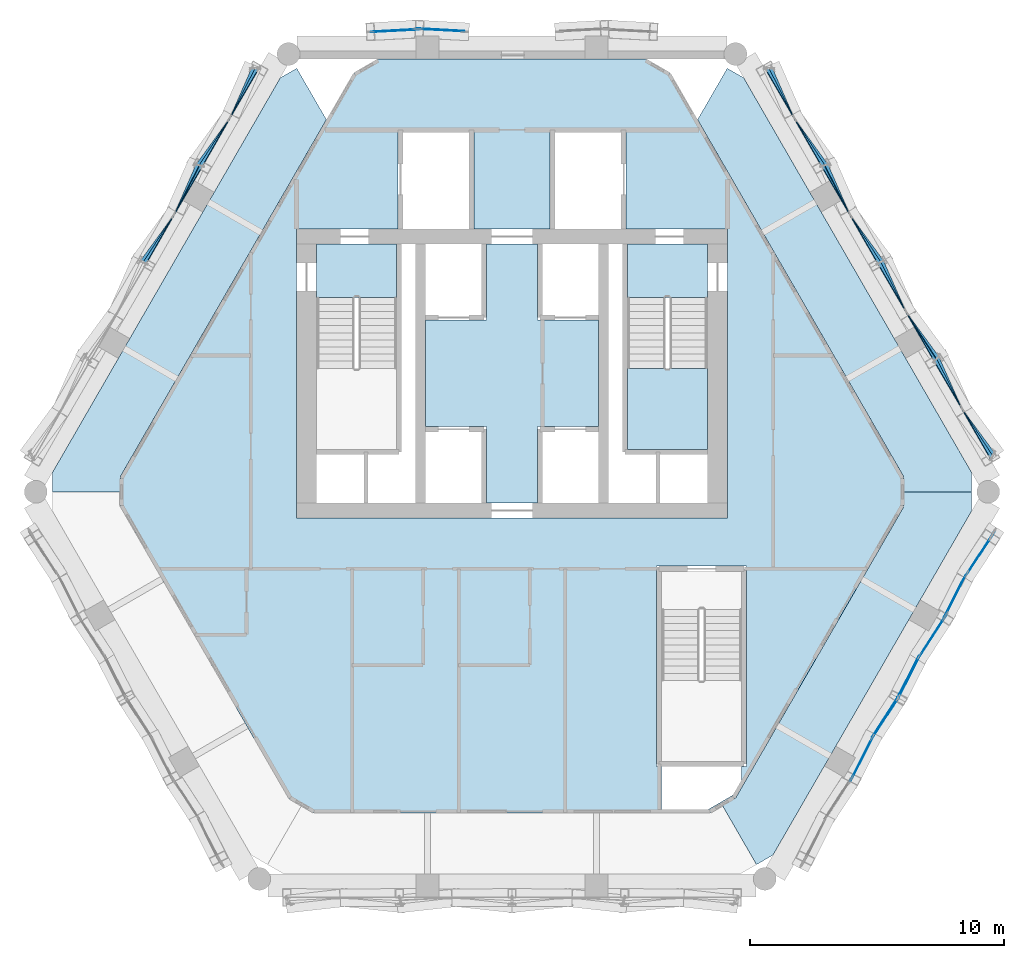
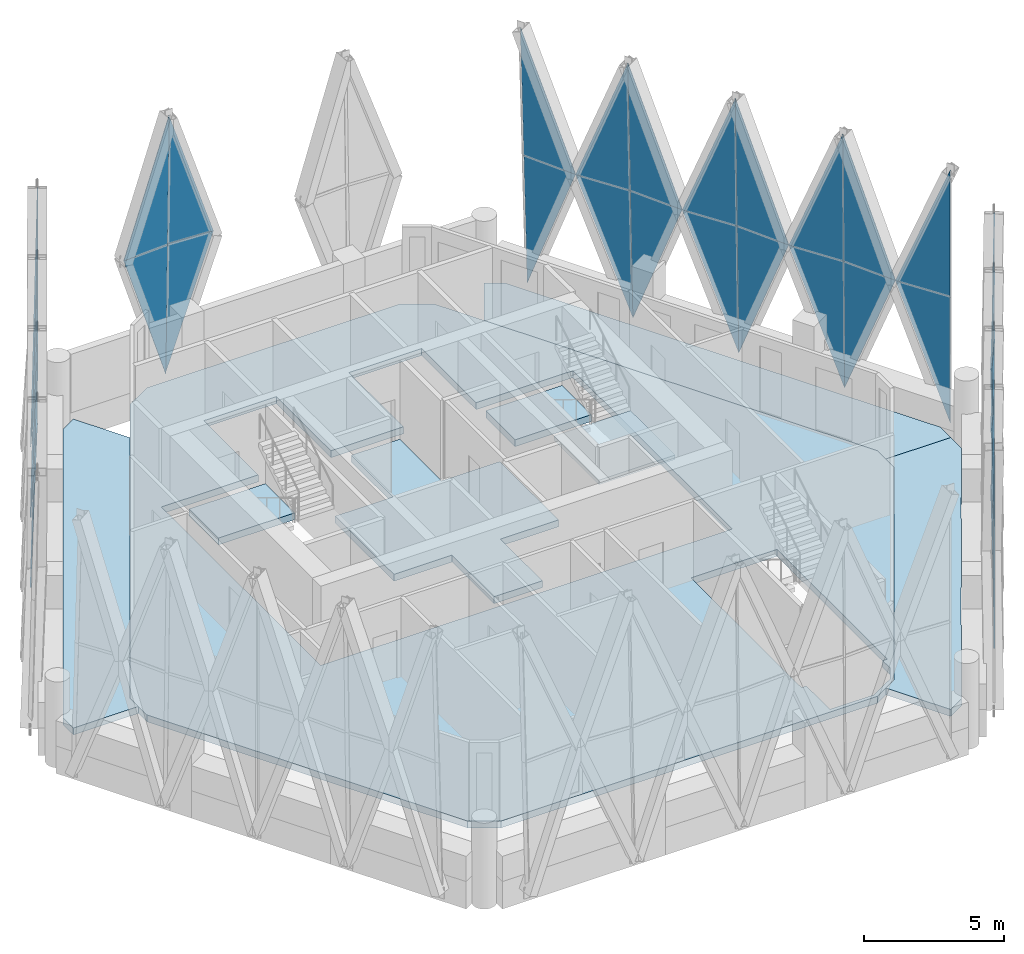
# One storey, part 11 of 22: 40 plates, 8 slabs, 17 elements without a shape of their own.
"""IFC4 building model written with IfcOpenShell, lengths in metres."""

from ifc_helpers import new_model, si_unit, direction, frame, origin, place, context, subcontext, project, spatial, polyline, outline, extrude, material, layer, layer_set, type_object, element, aggregate, save


model = new_model("IFC4")

# Units and contexts
model_context = context("Model", 3, precision=1e-05, world=origin(), true_north=direction((0.0, 1.0)))
body_context = subcontext(model_context, "Body", "Model", "MODEL_VIEW")
ifc_project = project(units=[si_unit("LENGTHUNIT", "METRE"), si_unit("AREAUNIT", "SQUARE_METRE"), si_unit("VOLUMEUNIT", "CUBIC_METRE"), si_unit("PLANEANGLEUNIT", "RADIAN"), si_unit("MASSUNIT", "GRAM", prefix="KILO")], contexts=[model_context])

# Site, building, storey
site_placement = place(None, origin())
site = spatial("IfcSite", under=ifc_project, at=site_placement, CompositionType="ELEMENT")
building_placement = place(site_placement, origin())
building = spatial("IfcBuilding", under=site, at=building_placement, Name="Ostrander Bayou Hotel Tower", CompositionType="ELEMENT")
storey_placement = place(building_placement, frame((0.0, 0.0, 245.0)))
storey = spatial("IfcBuildingStorey", under=building, at=storey_placement, Name="L60", CompositionType="ELEMENT", Elevation=245.0)

# Curtain wall, plate
ifc_material_1 = material(Name="Aluminium and clear glass", Category="aluminium")
curtain_wall_type = type_object("IfcCurtainWallType", Name="CW-LAT lattice glazing", PredefinedType="NOTDEFINED", material=ifc_material_1)
curtain_wall_1_placement = place(storey_placement, origin())
curtain_wall_1 = element("IfcCurtainWall", 1, at=curtain_wall_1_placement, inside=storey, type_object=curtain_wall_type, Name="CW-LAT L60 N 1", PredefinedType="NOTDEFINED")
ifc_material_2 = material(Name="Clear laminated glass", Category="glass")
ifc_layer_1 = layer(ifc_material_2, 0.028076171875)
ifc_layer_set_1 = layer_set([ifc_layer_1], Name="CW-LA glazing panel 28 mm")
plate_type = type_object("IfcPlateType", Name="CW-LA glazing panel 28 mm", PredefinedType="CURTAIN_PANEL", material=ifc_layer_set_1)
plate_1_placement = place(storey_placement, frame((-1.860595703125, 17.470703125, 5.02490234375), z_axis=(-0.053329057142, -0.998576767754, 0.000671242473), x_axis=(-0.324704022314, 0.016705162063, -0.945668142349)))
plate_1 = element("IfcPlate", 2, at=plate_1_placement, type_object=plate_type, Name="CW-LAT panel 5", PredefinedType="CURTAIN_PANEL", context=body_context, shape_type="SweptSolid", body=[
    extrude(outline(polyline([(0.0, 0.0), (5.948175420215724, 2.220446049250313e-16), (0.6058028210490418, -1.7620138371473237), (0.0, 0.0)])), origin(), (0.0, 0.0, -1.0), 0.028076171875),
])
aggregate(curtain_wall_1, [plate_1])

curtain_wall_2_placement = place(storey_placement, origin())
curtain_wall_2 = element("IfcCurtainWall", 3, at=curtain_wall_2_placement, inside=storey, type_object=curtain_wall_type, Name="CW-LAT L60 N 2", PredefinedType="NOTDEFINED")
plate_2_placement = place(storey_placement, frame((-1.860595703125, 17.470703125, 5.02490234375), z_axis=(-0.053329057142, -0.998576767754, 0.000671242473), x_axis=(-0.303164122078, 0.016830964082, 0.952789711181)))
plate_2 = element("IfcPlate", 4, at=plate_2_placement, type_object=plate_type, Name="CW-LAT panel 6", PredefinedType="CURTAIN_PANEL", context=body_context, shape_type="SweptSolid", body=[
    extrude(outline(polyline([(0.0, 0.0), (5.903716144274887, 2.220446049250313e-16), (0.5657382755701906, 1.7752830827348296), (0.0, 0.0)])), origin(), (0.0, 0.0, -1.0), 0.028076171875),
])
aggregate(curtain_wall_2, [plate_2])

curtain_wall_3_placement = place(storey_placement, origin())
curtain_wall_3 = element("IfcCurtainWall", 5, at=curtain_wall_3_placement, inside=storey, type_object=curtain_wall_type, Name="CW-LAT L60 N 3", PredefinedType="NOTDEFINED")
plate_3_placement = place(storey_placement, frame((-5.581787109375, 17.470703125, 5.02490234375), z_axis=(-0.053329057142, 0.998576767754, 0.000671242473), x_axis=(0.303164122078, 0.016830964082, -0.952789711181)))
plate_3 = element("IfcPlate", 6, at=plate_3_placement, type_object=plate_type, Name="CW-LAT panel 7", PredefinedType="CURTAIN_PANEL", context=body_context, shape_type="SweptSolid", body=[
    extrude(outline(polyline([(0.0, 0.0), (5.903716144274887, -2.220446049250313e-16), (0.5657382755701906, -1.7752830827348296), (0.0, 0.0)])), origin(), (0.0, 0.0, -1.0), 0.028076171875),
])
aggregate(curtain_wall_3, [plate_3])

curtain_wall_4_placement = place(storey_placement, origin())
curtain_wall_4 = element("IfcCurtainWall", 7, at=curtain_wall_4_placement, inside=storey, type_object=curtain_wall_type, Name="CW-LAT L60 N 4", PredefinedType="NOTDEFINED")
plate_4_placement = place(storey_placement, frame((-5.581787109375, 17.470703125, 5.02490234375), z_axis=(-0.053329057142, 0.998576767754, 0.000671242473), x_axis=(0.324704022314, 0.016705162063, 0.945668142349)))
plate_4 = element("IfcPlate", 8, at=plate_4_placement, type_object=plate_type, Name="CW-LAT panel 8", PredefinedType="CURTAIN_PANEL", context=body_context, shape_type="SweptSolid", body=[
    extrude(outline(polyline([(0.0, 0.0), (5.948175420215724, -2.220446049250313e-16), (0.6058028210490418, 1.7620138371473237), (0.0, 0.0)])), origin(), (0.0, 0.0, -1.0), 0.028076171875),
])
aggregate(curtain_wall_4, [plate_4])

curtain_wall_5_placement = place(storey_placement, origin())
curtain_wall_5 = element("IfcCurtainWall", 9, at=curtain_wall_5_placement, inside=storey, type_object=curtain_wall_type, Name="CW-LAT L60 NW 3", PredefinedType="NOTDEFINED")
plate_5_placement = place(storey_placement, frame((-11.13134765625, 14.054443359375, 5.02490234375), z_axis=(-0.890609298942, 0.454216277633, 0.022419852144), x_axis=(0.142879436084, 0.326274499943, -0.934414478394)))
plate_5 = element("IfcPlate", 10, at=plate_5_placement, type_object=plate_type, Name="CW-LAT panel 1", PredefinedType="CURTAIN_PANEL", context=body_context, shape_type="SweptSolid", body=[
    extrude(outline(polyline([(0.0, 0.0), (6.019812545788566, 2.220446049250313e-16), (0.7839630562234644, -2.060717381186297), (0.0, 0.0)])), origin(), (0.0, 0.0, -1.0), 0.028076171875),
])

curtain_wall_6_placement = place(storey_placement, origin())
curtain_wall_6 = element("IfcCurtainWall", 11, at=curtain_wall_6_placement, inside=storey, type_object=curtain_wall_type, Name="CW-LAT L60 NW 4", PredefinedType="NOTDEFINED")
plate_6_placement = place(storey_placement, frame((-11.13134765625, 14.054443359375, 5.02490234375), z_axis=(-0.890608526443, 0.454215883654, 0.022458487581), x_axis=(0.188493848396, 0.323747440296, 0.927177255987)))
plate_6 = element("IfcPlate", 12, at=plate_6_placement, type_object=plate_type, Name="CW-LAT panel 2", PredefinedType="CURTAIN_PANEL", context=body_context, shape_type="SweptSolid", body=[
    extrude(outline(polyline([(0.0, 0.0), (6.066801103759063, 0.0), (0.8246919963738021, 2.04475849668452), (0.0, 0.0)])), origin(), (0.0, 0.0, -1.0), 0.028076171875),
])

curtain_wall_7_placement = place(storey_placement, origin())
curtain_wall_7 = element("IfcCurtainWall", 13, at=curtain_wall_7_placement, inside=storey, type_object=curtain_wall_type, Name="CW-LAT L60 NW 1", PredefinedType="NOTDEFINED")
plate_7_placement = place(storey_placement, frame((-11.13134765625, 14.054443359375, 5.02490234375), z_axis=(-0.838707830037, 0.544158333439, 0.021468208666), x_axis=(-0.218578440214, -0.3002632666, -0.92847479029)))
plate_7 = element("IfcPlate", 14, at=plate_7_placement, type_object=plate_type, Name="CW-LAT panel 3", PredefinedType="CURTAIN_PANEL", context=body_context, shape_type="SweptSolid", body=[
    extrude(outline(polyline([(0.0, 0.0), (6.0583228094341, -4.440892098500626e-16), (0.8177798786907509, 2.0478434723937484), (0.0, 0.0)])), origin(), (0.0, 0.0, -1.0), 0.028076171875),
])

curtain_wall_8_placement = place(storey_placement, origin())
curtain_wall_8 = element("IfcCurtainWall", 15, at=curtain_wall_8_placement, inside=storey, type_object=curtain_wall_type, Name="CW-LAT L60 NW 2", PredefinedType="NOTDEFINED")
plate_8_placement = place(storey_placement, frame((-11.13134765625, 14.054443359375, 5.02490234375), z_axis=(-0.838708255059, 0.544158609195, 0.02144460155), x_axis=(-0.178534292644, -0.311948984106, 0.93317379821)))
plate_8 = element("IfcPlate", 16, at=plate_8_placement, type_object=plate_type, Name="CW-LAT panel 4", PredefinedType="CURTAIN_PANEL", context=body_context, shape_type="SweptSolid", body=[
    extrude(outline(polyline([(0.0, 0.0), (6.0278160518343284, 4.440892098500626e-16), (0.7913359460962368, -2.0582065585924845), (0.0, 0.0)])), origin(), (0.0, 0.0, -1.0), 0.028076171875),
])

# Plate
plate_9_placement = place(storey_placement, frame((-13.333251953125, 10.240478515625, 5.02490234375), z_axis=(-0.890615232551, 0.45421930381, 0.02212084073), x_axis=(0.145493999431, 0.330690255731, -0.932456675076)))
plate_9 = element("IfcPlate", 17, at=plate_9_placement, type_object=plate_type, Name="CW-LAT panel 5", PredefinedType="CURTAIN_PANEL", context=body_context, shape_type="SweptSolid", body=[
    extrude(outline(polyline([(0.0, 0.0), (6.032451855783154, 0.0), (0.795255123785217, -2.0563860257111033), (0.0, 0.0)])), origin(), (0.0, 0.0, -1.0), 0.028076171875),
])

aggregate(curtain_wall_5, [plate_5, plate_9])

plate_10_placement = place(storey_placement, frame((-13.333251953125, 10.240478515625, 5.02490234375), z_axis=(-0.890615620774, 0.454219501807, 0.022101135984), x_axis=(0.185959271811, 0.319409549499, 0.929191416725)))
plate_10 = element("IfcPlate", 18, at=plate_10_placement, type_object=plate_type, Name="CW-LAT panel 6", PredefinedType="CURTAIN_PANEL", context=body_context, shape_type="SweptSolid", body=[
    extrude(outline(polyline([(0.0, 0.0), (6.053650409108509, 0.0), (0.8136329877837234, 2.0491841205310655), (0.0, 0.0)])), origin(), (0.0, 0.0, -1.0), 0.028076171875),
])

aggregate(curtain_wall_6, [plate_6, plate_10])

plate_11_placement = place(storey_placement, frame((-13.333251953125, 10.240478515625, 5.02490234375), z_axis=(-0.838669689251, 0.544205410818, 0.02176288511), x_axis=(-0.216101865985, -0.295822494551, -0.930477853168)))
plate_11 = element("IfcPlate", 19, at=plate_11_placement, type_object=plate_type, Name="CW-LAT panel 7", PredefinedType="CURTAIN_PANEL", context=body_context, shape_type="SweptSolid", body=[
    extrude(outline(polyline([(0.0, 0.0), (6.0452809068490705, 0.0), (0.8065205058352078, 2.052083892510777), (0.0, 0.0)])), origin(), (0.0, 0.0, -1.0), 0.028076171875),
])

aggregate(curtain_wall_7, [plate_7, plate_11])

plate_12_placement = place(storey_placement, frame((-13.333251953125, 10.240478515625, 5.02490234375), z_axis=(-0.838669024317, 0.544204979348, 0.021799268421), x_axis=(-0.181067539031, -0.316342774107, 0.931204486447)))
plate_12 = element("IfcPlate", 20, at=plate_12_placement, type_object=plate_type, Name="CW-LAT panel 8", PredefinedType="CURTAIN_PANEL", context=body_context, shape_type="SweptSolid", body=[
    extrude(outline(polyline([(0.0, 0.0), (6.040563680551692, 0.0), (0.8024269722930031, -2.0536880440737697), (0.0, 0.0)])), origin(), (0.0, 0.0, -1.0), 0.028076171875),
])

aggregate(curtain_wall_8, [plate_8, plate_12])

# Curtain wall, plate
curtain_wall_9_placement = place(storey_placement, origin())
curtain_wall_9 = element("IfcCurtainWall", 21, at=curtain_wall_9_placement, inside=storey, type_object=curtain_wall_type, Name="CW-LAT L60 SE 3", PredefinedType="NOTDEFINED")
plate_13_placement = place(storey_placement, frame((14.19970703125, -10.3466796875, 5.02490234375), z_axis=(-0.891445948494, 0.453126575024, 0.000654156494), x_axis=(-0.147883150311, -0.2895685888, -0.945664108568)))
plate_13 = element("IfcPlate", 22, at=plate_13_placement, type_object=plate_type, Name="CW-LAT panel 5", PredefinedType="CURTAIN_PANEL", context=body_context, shape_type="SweptSolid", body=[
    extrude(outline(polyline([(0.0, 0.0), (5.948200792473272, -2.220446049250313e-16), (0.6057898055132335, 1.7619046987356881), (0.0, 0.0)])), origin(), (0.0, 0.0, -1.0), 0.028076171875),
])

curtain_wall_10_placement = place(storey_placement, origin())
curtain_wall_10 = element("IfcCurtainWall", 23, at=curtain_wall_10_placement, inside=storey, type_object=curtain_wall_type, Name="CW-LAT L60 SE 4", PredefinedType="NOTDEFINED")
plate_14_placement = place(storey_placement, frame((14.19970703125, -10.3466796875, 5.02490234375), z_axis=(-0.891445936853, 0.453126569107, 0.000673823437), x_axis=(-0.137005406206, -0.270950625253, 0.952793407484)))
plate_14 = element("IfcPlate", 24, at=plate_14_placement, type_object=plate_type, Name="CW-LAT panel 6", PredefinedType="CURTAIN_PANEL", context=body_context, shape_type="SweptSolid", body=[
    extrude(outline(polyline([(0.0, 0.0), (5.903693241175272, 2.220446049250313e-16), (0.5656840327782413, -1.7751876044380215), (0.0, 0.0)])), origin(), (0.0, 0.0, -1.0), 0.028076171875),
])

curtain_wall_11_placement = place(storey_placement, origin())
curtain_wall_11 = element("IfcCurtainWall", 25, at=curtain_wall_11_placement, inside=storey, type_object=curtain_wall_type, Name="CW-LAT L60 SE 1", PredefinedType="NOTDEFINED")
plate_15_placement = place(storey_placement, frame((14.19970703125, -10.3466796875, 5.02490234375), z_axis=(0.838147138746, -0.545444198624, 0.0), x_axis=(0.17151977291, 0.263562812228, -0.949271094847)))
plate_15 = element("IfcPlate", 26, at=plate_15_placement, type_object=plate_type, Name="CW-LAT panel 7", PredefinedType="CURTAIN_PANEL", context=body_context, shape_type="SweptSolid", body=[
    extrude(outline(polyline([(0.0, 0.0), (5.9255991576449745, -2.220446049250313e-16), (0.5859492491325975, 1.768831211428544), (0.0, 0.0)])), origin(), (0.0, 0.0, -1.0), 0.028076171875),
])

curtain_wall_12_placement = place(storey_placement, origin())
curtain_wall_12 = element("IfcCurtainWall", 27, at=curtain_wall_12_placement, inside=storey, type_object=curtain_wall_type, Name="CW-LAT L60 SE 2", PredefinedType="NOTDEFINED")
plate_16_placement = place(storey_placement, frame((14.19970703125, -10.3466796875, 5.02490234375), z_axis=(-0.838147138746, 0.545444198624, 0.0), x_axis=(0.17151977291, 0.263562812228, 0.949271094847)))
plate_16 = element("IfcPlate", 28, at=plate_16_placement, type_object=plate_type, Name="CW-LAT panel 8", PredefinedType="CURTAIN_PANEL", context=body_context, shape_type="SweptSolid", body=[
    extrude(outline(polyline([(0.0, 0.0), (5.9255991576449745, -2.220446049250313e-16), (0.5859492491325975, 1.768831211428544), (0.0, 0.0)])), origin(), (0.0, 0.0, -1.0), 0.028076171875),
])

# Plate
plate_17_placement = place(storey_placement, frame((16.060302734375, -7.1240234375, 5.02490234375), z_axis=(-0.891446139228, 0.453126671976, 0.0), x_axis=(-0.142474711453, -0.280293655875, -0.949282056647)))
plate_17 = element("IfcPlate", 29, at=plate_17_placement, type_object=plate_type, Name="CW-LAT panel 9", PredefinedType="CURTAIN_PANEL", context=body_context, shape_type="SweptSolid", body=[
    extrude(outline(polyline([(0.0, 0.0), (5.925530732001198, -2.220446049250313e-16), (0.5858191633609695, 1.7686450643726424), (0.0, 0.0)])), origin(), (0.0, 0.0, -1.0), 0.028076171875),
])

plate_18_placement = place(storey_placement, frame((16.060302734375, -7.1240234375, 5.02490234375), z_axis=(0.891446139228, -0.453126671976, 0.0), x_axis=(-0.142474711453, -0.280293655875, 0.949282056647)))
plate_18 = element("IfcPlate", 30, at=plate_18_placement, type_object=plate_type, Name="CW-LAT panel 10", PredefinedType="CURTAIN_PANEL", context=body_context, shape_type="SweptSolid", body=[
    extrude(outline(polyline([(0.0, 0.0), (5.925530732001198, -2.220446049250313e-16), (0.5858191633609695, 1.7686450643726424), (0.0, 0.0)])), origin(), (0.0, 0.0, -1.0), 0.028076171875),
])

plate_19_placement = place(storey_placement, frame((16.060302734375, -7.1240234375, 5.02490234375), z_axis=(-0.838107951467, 0.545503971538, 0.000691898779), x_axis=(0.176819467009, 0.272863467195, -0.94566400183)))
plate_19 = element("IfcPlate", 31, at=plate_19_placement, type_object=plate_type, Name="CW-LAT panel 11", PredefinedType="CURTAIN_PANEL", context=body_context, shape_type="SweptSolid", body=[
    extrude(outline(polyline([(0.0, 0.0), (5.948201463854604, 2.220446049250313e-16), (0.6057944768884687, -1.7619168273881831), (0.0, 0.0)])), origin(), (0.0, 0.0, -1.0), 0.028076171875),
])

plate_20_placement = place(storey_placement, frame((16.060302734375, -7.1240234375, 5.02490234375), z_axis=(-0.838107964962, 0.545503980321, 0.000668222402), x_axis=(0.166159795937, 0.254119448988, 0.952792856743)))
plate_20 = element("IfcPlate", 32, at=plate_20_placement, type_object=plate_type, Name="CW-LAT panel 12", PredefinedType="CURTAIN_PANEL", context=body_context, shape_type="SweptSolid", body=[
    extrude(outline(polyline([(0.0, 0.0), (5.903696653677123, -2.220446049250313e-16), (0.565691217337407, 1.7751989470167946), (0.0, 0.0)])), origin(), (0.0, 0.0, -1.0), 0.028076171875),
])

plate_21_placement = place(storey_placement, frame((17.9208984375, -3.9013671875, 5.02490234375), z_axis=(0.891472848393, -0.453073649286, 0.000654904661), x_axis=(-0.137005406206, -0.270950625253, -0.952793407484)))
plate_21 = element("IfcPlate", 33, at=plate_21_placement, type_object=plate_type, Name="CW-LAT panel 13", PredefinedType="CURTAIN_PANEL", context=body_context, shape_type="SweptSolid", body=[
    extrude(outline(polyline([(0.0, 0.0), (5.903693241175272, 2.220446049250313e-16), (0.5657501828332349, -1.7753949495580628), (0.0, 0.0)])), origin(), (0.0, 0.0, -1.0), 0.028076171875),
])

aggregate(curtain_wall_9, [plate_13, plate_17, plate_21])

plate_22_placement = place(storey_placement, frame((17.9208984375, -3.9013671875, 5.02490234375), z_axis=(0.89147283674, -0.453073643364, 0.000674569307), x_axis=(-0.147883150311, -0.2895685888, 0.945664108568)))
plate_22 = element("IfcPlate", 34, at=plate_22_placement, type_object=plate_type, Name="CW-LAT panel 14", PredefinedType="CURTAIN_PANEL", context=body_context, shape_type="SweptSolid", body=[
    extrude(outline(polyline([(0.0, 0.0), (5.948200792473272, 0.0), (0.6058605009694835, 1.7621105384331375), (0.0, 0.0)])), origin(), (0.0, 0.0, -1.0), 0.028076171875),
])

aggregate(curtain_wall_10, [plate_14, plate_18, plate_22])

plate_23_placement = place(storey_placement, frame((17.9208984375, -3.9013671875, 5.02490234375), z_axis=(-0.838107376858, 0.545503597539, 0.001360120238), x_axis=(0.182056071659, 0.28205812674, -0.941965392099)))
plate_23 = element("IfcPlate", 35, at=plate_23_placement, type_object=plate_type, Name="CW-LAT panel 15", PredefinedType="CURTAIN_PANEL", context=body_context, shape_type="SweptSolid", body=[
    extrude(outline(polyline([(0.0, 0.0), (5.971556967147268, 2.220446049250313e-16), (0.6254744152696513, -1.7550269544099035), (0.0, 0.0)])), origin(), (0.0, 0.0, -1.0), 0.028076171875),
])

aggregate(curtain_wall_11, [plate_15, plate_19, plate_23])

plate_24_placement = place(storey_placement, frame((17.9208984375, -3.9013671875, 5.02490234375), z_axis=(-0.838107403613, 0.545503614953, 0.001336443909), x_axis=(0.160737089624, 0.244612550025, 0.95620514974)))
plate_24 = element("IfcPlate", 36, at=plate_24_placement, type_object=plate_type, Name="CW-LAT panel 16", PredefinedType="CURTAIN_PANEL", context=body_context, shape_type="SweptSolid", body=[
    extrude(outline(polyline([(0.0, 0.0), (5.882628849602744, 0.0), (0.5453345639803877, 1.781557764483244), (0.0, 0.0)])), origin(), (0.0, 0.0, -1.0), 0.028076171875),
])

aggregate(curtain_wall_12, [plate_16, plate_20, plate_24])

# Curtain wall, plate
curtain_wall_13_placement = place(storey_placement, origin())
curtain_wall_13 = element("IfcCurtainWall", 37, at=curtain_wall_13_placement, inside=storey, type_object=curtain_wall_type, Name="CW-LAT L60 NE 3", PredefinedType="NOTDEFINED")
plate_25_placement = place(storey_placement, frame((17.737060546875, 2.61279296875, 5.02490234375), z_axis=(0.838657194254, 0.544197302924, 0.022436711359), x_axis=(0.211136151604, -0.286854783, -0.934417390119)))
plate_25 = element("IfcPlate", 38, at=plate_25_placement, type_object=plate_type, Name="CW-LAT panel 1", PredefinedType="CURTAIN_PANEL", context=body_context, shape_type="SweptSolid", body=[
    extrude(outline(polyline([(0.0, 0.0), (6.019793787534118, 0.0), (0.7839739153540016, -2.060802884382536), (0.0, 0.0)])), origin(), (0.0, 0.0, -1.0), 0.028076171875),
])

curtain_wall_14_placement = place(storey_placement, origin())
curtain_wall_14 = element("IfcCurtainWall", 39, at=curtain_wall_14_placement, inside=storey, type_object=curtain_wall_type, Name="CW-LAT L60 NE 4", PredefinedType="NOTDEFINED")
plate_26_placement = place(storey_placement, frame((17.737060546875, 2.61279296875, 5.02490234375), z_axis=(0.838657194254, 0.544197302924, 0.022436711359), x_axis=(0.186158566981, -0.325113502515, 0.9271710729)))
plate_26 = element("IfcPlate", 40, at=plate_26_placement, type_object=plate_type, Name="CW-LAT panel 2", PredefinedType="CURTAIN_PANEL", context=body_context, shape_type="SweptSolid", body=[
    extrude(outline(polyline([(0.0, 0.0), (6.066841561836484, 4.440892098500626e-16), (0.824759621663542, 2.044821555712937), (0.0, 0.0)])), origin(), (0.0, 0.0, -1.0), 0.028076171875),
])

curtain_wall_15_placement = place(storey_placement, origin())
curtain_wall_15 = element("IfcCurtainWall", 41, at=curtain_wall_15_placement, inside=storey, type_object=curtain_wall_type, Name="CW-LAT L60 NE 1", PredefinedType="NOTDEFINED")
plate_27_placement = place(storey_placement, frame((17.737060546875, 2.61279296875, 5.02490234375), z_axis=(0.89065083358, 0.454181005491, 0.021464083839), x_axis=(-0.150716283941, 0.339434026641, -0.928476786632)))
plate_27 = element("IfcPlate", 42, at=plate_27_placement, type_object=plate_type, Name="CW-LAT panel 3", PredefinedType="CURTAIN_PANEL", context=body_context, shape_type="SweptSolid", body=[
    extrude(outline(polyline([(0.0, 0.0), (6.0583097832819774, -4.440892098500626e-16), (0.8177429422264888, 2.0477816723040547), (0.0, 0.0)])), origin(), (0.0, 0.0, -1.0), 0.028076171875),
])

curtain_wall_16_placement = place(storey_placement, origin())
curtain_wall_16 = element("IfcCurtainWall", 43, at=curtain_wall_16_placement, inside=storey, type_object=curtain_wall_type, Name="CW-LAT L60 NE 2", PredefinedType="NOTDEFINED")
plate_28_placement = place(storey_placement, frame((17.737060546875, 2.61279296875, 5.02490234375), z_axis=(0.89065083358, 0.454181005491, 0.021464083839), x_axis=(-0.180882322919, 0.310610509285, 0.933168096742)))
plate_28 = element("IfcPlate", 44, at=plate_28_placement, type_object=plate_type, Name="CW-LAT panel 4", PredefinedType="CURTAIN_PANEL", context=body_context, shape_type="SweptSolid", body=[
    extrude(outline(polyline([(0.0, 0.0), (6.027852880566225, 4.440892098500626e-16), (0.7913409005467719, -2.058128488726457), (0.0, 0.0)])), origin(), (0.0, 0.0, -1.0), 0.028076171875),
])

# Plate
plate_29_placement = place(storey_placement, frame((15.53515625, 6.4267578125, 5.02490234375), z_axis=(0.838663151862, 0.544201168763, 0.022117993262), x_axis=(0.213646786163, -0.291351243339, -0.932453486114)))
plate_29 = element("IfcPlate", 45, at=plate_29_placement, type_object=plate_type, Name="CW-LAT panel 5", PredefinedType="CURTAIN_PANEL", context=body_context, shape_type="SweptSolid", body=[
    extrude(outline(polyline([(0.0, 0.0), (6.0324724865794614, 0.0), (0.7953038623818991, -2.0564570004537654), (0.0, 0.0)])), origin(), (0.0, 0.0, -1.0), 0.028076171875),
])

plate_30_placement = place(storey_placement, frame((15.53515625, 6.4267578125, 5.02490234375), z_axis=(0.838663151862, 0.544201168763, 0.022117993262), x_axis=(0.183621311744, -0.320742431868, 0.929197237551)))
plate_30 = element("IfcPlate", 46, at=plate_30_placement, type_object=plate_type, Name="CW-LAT panel 6", PredefinedType="CURTAIN_PANEL", context=body_context, shape_type="SweptSolid", body=[
    extrude(outline(polyline([(0.0, 0.0), (6.053612486864427, 0.0), (0.8136296465735186, 2.0492755857745237), (0.0, 0.0)])), origin(), (0.0, 0.0, -1.0), 0.028076171875),
])

plate_31_placement = place(storey_placement, frame((15.53515625, 6.4267578125, 5.02490234375), z_axis=(0.890622219472, 0.454222867184, 0.021763481126), x_axis=(-0.148134693691, 0.335039645272, -0.930486189377)))
plate_31 = element("IfcPlate", 47, at=plate_31_placement, type_object=plate_type, Name="CW-LAT panel 7", PredefinedType="CURTAIN_PANEL", context=body_context, shape_type="SweptSolid", body=[
    extrude(outline(polyline([(0.0, 0.0), (6.045226747284706, 0.0), (0.8064430162176557, 2.052024332272967), (0.0, 0.0)])), origin(), (0.0, 0.0, -1.0), 0.028076171875),
])

plate_32_placement = place(storey_placement, frame((15.53515625, 6.4267578125, 5.02490234375), z_axis=(0.890621469547, 0.454222484717, 0.021802118246), x_axis=(-0.183449642421, 0.315004739597, 0.931191839917)))
plate_32 = element("IfcPlate", 48, at=plate_32_placement, type_object=plate_type, Name="CW-LAT panel 8", PredefinedType="CURTAIN_PANEL", context=body_context, shape_type="SweptSolid", body=[
    extrude(outline(polyline([(0.0, 0.0), (6.040645717539933, -4.440892098500626e-16), (0.8024675324486339, -2.053582250121077), (0.0, 0.0)])), origin(), (0.0, 0.0, -1.0), 0.028076171875),
])

plate_33_placement = place(storey_placement, frame((13.333251953125, 10.240478515625, 5.02490234375), z_axis=(0.838669689251, 0.544205410818, 0.02176288511), x_axis=(0.216101865985, -0.295822494551, -0.930477853168)))
plate_33 = element("IfcPlate", 49, at=plate_33_placement, type_object=plate_type, Name="CW-LAT panel 9", PredefinedType="CURTAIN_PANEL", context=body_context, shape_type="SweptSolid", body=[
    extrude(outline(polyline([(0.0, 0.0), (6.0452809068490705, 0.0), (0.8065205058352078, -2.052083892510777), (0.0, 0.0)])), origin(), (0.0, 0.0, -1.0), 0.028076171875),
])

plate_34_placement = place(storey_placement, frame((13.333251953125, 10.240478515625, 5.02490234375), z_axis=(0.838669024317, 0.544204979348, 0.021799268421), x_axis=(0.181067539031, -0.316342774107, 0.931204486447)))
plate_34 = element("IfcPlate", 50, at=plate_34_placement, type_object=plate_type, Name="CW-LAT panel 10", PredefinedType="CURTAIN_PANEL", context=body_context, shape_type="SweptSolid", body=[
    extrude(outline(polyline([(0.0, 0.0), (6.040563680551692, 0.0), (0.8024269722930031, 2.0536880440737697), (0.0, 0.0)])), origin(), (0.0, 0.0, -1.0), 0.028076171875),
])

plate_35_placement = place(storey_placement, frame((13.333251953125, 10.240478515625, 5.02490234375), z_axis=(0.890615232551, 0.45421930381, 0.02212084073), x_axis=(-0.145493999431, 0.330690255731, -0.932456675076)))
plate_35 = element("IfcPlate", 51, at=plate_35_placement, type_object=plate_type, Name="CW-LAT panel 11", PredefinedType="CURTAIN_PANEL", context=body_context, shape_type="SweptSolid", body=[
    extrude(outline(polyline([(0.0, 0.0), (6.032451855783154, 0.0), (0.795255123785217, 2.0563860257111033), (0.0, 0.0)])), origin(), (0.0, 0.0, -1.0), 0.028076171875),
])

plate_36_placement = place(storey_placement, frame((13.333251953125, 10.240478515625, 5.02490234375), z_axis=(0.890615620774, 0.454219501807, 0.022101135984), x_axis=(-0.185959271811, 0.319409549499, 0.929191416725)))
plate_36 = element("IfcPlate", 52, at=plate_36_placement, type_object=plate_type, Name="CW-LAT panel 12", PredefinedType="CURTAIN_PANEL", context=body_context, shape_type="SweptSolid", body=[
    extrude(outline(polyline([(0.0, 0.0), (6.053650409108509, 0.0), (0.8136329877837234, -2.0491841205310655), (0.0, 0.0)])), origin(), (0.0, 0.0, -1.0), 0.028076171875),
])

plate_37_placement = place(storey_placement, frame((11.13134765625, 14.054443359375, 5.02490234375), z_axis=(0.838707830037, 0.544158333439, 0.021468208666), x_axis=(0.218578440214, -0.3002632666, -0.92847479029)))
plate_37 = element("IfcPlate", 53, at=plate_37_placement, type_object=plate_type, Name="CW-LAT panel 13", PredefinedType="CURTAIN_PANEL", context=body_context, shape_type="SweptSolid", body=[
    extrude(outline(polyline([(0.0, 0.0), (6.0583228094341, 4.440892098500626e-16), (0.8177798786907509, -2.0478434723937484), (0.0, 0.0)])), origin(), (0.0, 0.0, -1.0), 0.028076171875),
])

aggregate(curtain_wall_13, [plate_25, plate_29, plate_33, plate_37])

plate_38_placement = place(storey_placement, frame((11.13134765625, 14.054443359375, 5.02490234375), z_axis=(0.838708255059, 0.544158609195, 0.02144460155), x_axis=(0.178534292644, -0.311948984106, 0.93317379821)))
plate_38 = element("IfcPlate", 54, at=plate_38_placement, type_object=plate_type, Name="CW-LAT panel 14", PredefinedType="CURTAIN_PANEL", context=body_context, shape_type="SweptSolid", body=[
    extrude(outline(polyline([(0.0, 0.0), (6.0278160518343284, -4.440892098500626e-16), (0.7913359460962368, 2.0582065585924845), (0.0, 0.0)])), origin(), (0.0, 0.0, -1.0), 0.028076171875),
])

aggregate(curtain_wall_14, [plate_26, plate_30, plate_34, plate_38])

plate_39_placement = place(storey_placement, frame((11.13134765625, 14.054443359375, 5.02490234375), z_axis=(0.890609298942, 0.454216277633, 0.022419852144), x_axis=(-0.142879436084, 0.326274499943, -0.934414478394)))
plate_39 = element("IfcPlate", 55, at=plate_39_placement, type_object=plate_type, Name="CW-LAT panel 15", PredefinedType="CURTAIN_PANEL", context=body_context, shape_type="SweptSolid", body=[
    extrude(outline(polyline([(0.0, 0.0), (6.019812545788566, -2.220446049250313e-16), (0.7839630562234644, 2.060717381186297), (0.0, 0.0)])), origin(), (0.0, 0.0, -1.0), 0.028076171875),
])

aggregate(curtain_wall_15, [plate_27, plate_31, plate_35, plate_39])

plate_40_placement = place(storey_placement, frame((11.13134765625, 14.054443359375, 5.02490234375), z_axis=(0.890608526443, 0.454215883654, 0.022458487581), x_axis=(-0.188493848396, 0.323747440296, 0.927177255987)))
plate_40 = element("IfcPlate", 56, at=plate_40_placement, type_object=plate_type, Name="CW-LAT panel 16", PredefinedType="CURTAIN_PANEL", context=body_context, shape_type="SweptSolid", body=[
    extrude(outline(polyline([(0.0, 0.0), (6.066801103759063, 0.0), (0.8246919963738021, -2.04475849668452), (0.0, 0.0)])), origin(), (0.0, 0.0, -1.0), 0.028076171875),
])

aggregate(curtain_wall_16, [plate_28, plate_32, plate_36, plate_40])

# Slabs
ifc_material_3 = material(Name="Concrete f'c 40 MPa", Category="concrete")
ifc_layer_2 = layer(ifc_material_3, 0.300048828125)
ifc_layer_set_2 = layer_set([ifc_layer_2], Name="SL1 floor slab 300 mm f'c 40 MPa")
slab_type_1 = type_object("IfcSlabType", Name="SL1 floor slab 300 mm f'c 40 MPa", PredefinedType="FLOOR", material=ifc_layer_set_2)
slab_1_placement = place(storey_placement, frame((0.0, 0.0, -0.300048828125)))
element("IfcSlab", 57, at=slab_1_placement, inside=storey, type_object=slab_type_1, Name="SL1 L60 1", PredefinedType="FLOOR", context=body_context, shape_type="SweptSolid", body=[
    extrude(outline(polyline([(-2.909423828125, 16.39990234375), (2.909423828125, 16.39990234375), (3.74951171875, 16.39990234375), (5.236083984375, 16.39990234375), (6.275146484375, 15.800048828125), (15.435302734375, -0.0654296875), (15.435302734375, -1.265380859375), (8.8134765625, -12.734619140625), (7.7744140625, -13.33447265625), (-7.7744140625, -13.33447265625), (-8.8134765625, -12.734619140625), (-15.435302734375, -1.265380859375), (-15.435302734375, -0.0654296875), (-6.275146484375, 15.800048828125), (-5.236083984375, 16.39990234375), (-3.74951171875, 16.39990234375), (-2.909423828125, 16.39990234375)]), holes=[polyline([(9.050048828125, -12.02490234375), (9.050048828125, -11.5), (9.25, -11.5), (9.25, -3.60009765625), (5.699951171875, -3.60009765625), (5.699951171875, -11.5), (5.89990234375, -11.5), (5.89990234375, -13.1845703125), (7.734130859375, -13.1845703125), (8.70361328125, -12.624755859375), (9.050048828125, -12.02490234375)]), polyline([(-8.5, -1.699951171875), (8.5, -1.699951171875), (8.5, 9.699951171875), (4.5, 9.699951171875), (4.5, 13.60009765625), (1.5, 13.60009765625), (1.5, 9.699951171875), (-1.5, 9.699951171875), (-1.5, 13.60009765625), (-4.5, 13.60009765625), (-4.5, 9.699951171875), (-8.5, 9.699951171875), (-8.5, -1.699951171875)])]), origin(), (0.0, 0.0, 1.0), 0.300048828125),
])
slab_2_placement = place(storey_placement, frame((0.0, 0.0, -0.300048828125)))
element("IfcSlab", 58, at=slab_2_placement, inside=storey, type_object=slab_type_1, Name="cslab:L60:001", PredefinedType="FLOOR", context=body_context, shape_type="SweptSolid", body=[
    extrude(outline(polyline([(-3.39990234375, 6.10009765625), (-1.0, 6.10009765625), (-1.0, 9.10009765625), (1.0, 9.10009765625), (1.0, 6.10009765625), (3.39990234375, 6.10009765625), (3.39990234375, 1.89990234375), (1.0, 1.89990234375), (1.0, -1.10009765625), (-1.0, -1.10009765625), (-1.0, 1.89990234375), (-3.39990234375, 1.89990234375), (-3.39990234375, 6.10009765625)])), origin(), (0.0, 0.0, 1.0), 0.300048828125),
])
slab_3_placement = place(storey_placement, frame((0.0, 0.0, -0.300048828125)))
element("IfcSlab", 59, at=slab_3_placement, inside=storey, type_object=slab_type_1, Name="cslab:L60:002", PredefinedType="FLOOR", context=body_context, shape_type="SweptSolid", body=[
    extrude(outline(polyline([(-4.550048828125, 7.0), (-4.550048828125, 9.10009765625), (-7.699951171875, 9.10009765625), (-7.699951171875, 7.0), (-4.550048828125, 7.0)])), origin(), (0.0, 0.0, 1.0), 0.300048828125),
])
slab_4_placement = place(storey_placement, frame((0.0, 0.0, -0.300048828125)))
element("IfcSlab", 60, at=slab_4_placement, inside=storey, type_object=slab_type_1, Name="cslab:L60:003", PredefinedType="FLOOR", context=body_context, shape_type="SweptSolid", body=[
    extrude(outline(polyline([(7.699951171875, 7.0), (7.699951171875, 9.10009765625), (4.550048828125, 9.10009765625), (4.550048828125, 7.0), (7.699951171875, 7.0)])), origin(), (0.0, 0.0, 1.0), 0.300048828125),
])
ifc_material_4 = material(Name="Concrete f'c 40 MPa", Category="concrete")
ifc_layer_3 = layer(ifc_material_4, 0.300048828125)
ifc_layer_set_3 = layer_set([ifc_layer_3], Name="SL4 loggia slab 300 mm f'c 40 MPa")
slab_type_2 = type_object("IfcSlabType", Name="SL4 loggia slab 300 mm f'c 40 MPa", PredefinedType="FLOOR", material=ifc_layer_set_3)
slab_5_placement = place(storey_placement, frame((0.0, 0.0, -0.300048828125)))
element("IfcSlab", 61, at=slab_5_placement, inside=storey, type_object=slab_type_2, Name="SL4 LOGGIA L60 NW 1", PredefinedType="FLOOR", context=body_context, shape_type="SweptSolid", body=[
    extrude(outline(polyline([(-18.119873046875, -0.66552734375), (-18.119873046875, 0.08447265625), (-15.501220703125, 4.6201171875), (-15.081298828125, 5.34765625), (-13.514404296875, 8.06103515625), (-12.171875, 10.38671875), (-11.751708984375, 11.1142578125), (-9.133056640625, 15.64990234375), (-8.483642578125, 16.02490234375), (-7.314453125, 14.0), (-15.435302734375, -0.0654296875), (-15.435302734375, -0.66552734375), (-18.119873046875, -0.66552734375)])), origin(), (0.0, 0.0, 1.0), 0.300048828125),
])
slab_6_placement = place(storey_placement, frame((0.0, 0.0, -0.300048828125)))
element("IfcSlab", 62, at=slab_6_placement, inside=storey, type_object=slab_type_2, Name="SL4 LOGGIA L60 SE 1", PredefinedType="FLOOR", context=body_context, shape_type="SweptSolid", body=[
    extrude(outline(polyline([(15.435302734375, -0.66552734375), (18.119873046875, -0.66552734375), (18.119873046875, -1.41552734375), (16.077392578125, -4.952880859375), (15.657470703125, -5.680419921875), (12.748046875, -10.719482421875), (12.328125, -11.447021484375), (10.285888671875, -14.984619140625), (9.63623046875, -15.359619140625), (8.2939453125, -13.034423828125), (8.8134765625, -12.734619140625), (15.435302734375, -1.265380859375), (15.435302734375, -0.66552734375)])), origin(), (0.0, 0.0, 1.0), 0.300048828125),
])
slab_7_placement = place(storey_placement, frame((0.0, 0.0, -0.300048828125)))
element("IfcSlab", 63, at=slab_7_placement, inside=storey, type_object=slab_type_2, Name="SL4 LOGGIA L60 NE 1", PredefinedType="FLOOR", context=body_context, shape_type="SweptSolid", body=[
    extrude(outline(polyline([(8.483642578125, 16.02490234375), (9.133056640625, 15.64990234375), (11.751708984375, 11.1142578125), (12.171875, 10.38671875), (15.081298828125, 5.34765625), (15.501220703125, 4.6201171875), (17.7255859375, 0.767578125), (18.02880859375, 0.241943359375), (18.119873046875, 0.08447265625), (18.119873046875, -0.66552734375), (15.435302734375, -0.66552734375), (15.435302734375, -0.0654296875), (7.314453125, 14.0), (8.483642578125, 16.02490234375)])), origin(), (0.0, 0.0, 1.0), 0.300048828125),
])

# Stair, slab
ifc_material_5 = material(Name="Concrete f'c 45 MPa", Category="concrete")
stair_type = type_object("IfcStairType", Name="ST1 exit stair 1500 mm f'c 45 MPa", PredefinedType="HALF_TURN_STAIR", material=ifc_material_5)
stair_placement = place(storey_placement, origin())
stair = element("IfcStair", 64, at=stair_placement, inside=storey, type_object=stair_type, Name="L60 exit stair B", PredefinedType="HALF_TURN_STAIR")
ifc_material_6 = material(Name="Concrete f'c 45 MPa", Category="concrete")
ifc_layer_4 = layer(ifc_material_6, 0.199951171875)
ifc_layer_set_4 = layer_set([ifc_layer_4], Name="SL8 stair landing 200 mm f'c 45 MPa")
slab_type_3 = type_object("IfcSlabType", Name="SL8 stair landing 200 mm f'c 45 MPa", PredefinedType="LANDING", material=ifc_layer_set_4)
slab_8_placement = place(storey_placement, frame((0.0, 0.0, 1.675048828125)))
slab_8 = element("IfcSlab", 65, at=slab_8_placement, type_object=slab_type_3, Name="STB landing 1", PredefinedType="LANDING", context=body_context, shape_type="SweptSolid", body=[
    extrude(outline(polyline([(4.550048828125, 4.199951171875), (4.550048828125, 1.0), (7.699951171875, 1.0), (7.699951171875, 4.199951171875), (4.550048828125, 4.199951171875)])), origin(), (0.0, 0.0, 1.0), 0.199951171875),
])
aggregate(stair, [slab_8])

save(model, "model.ifc")
